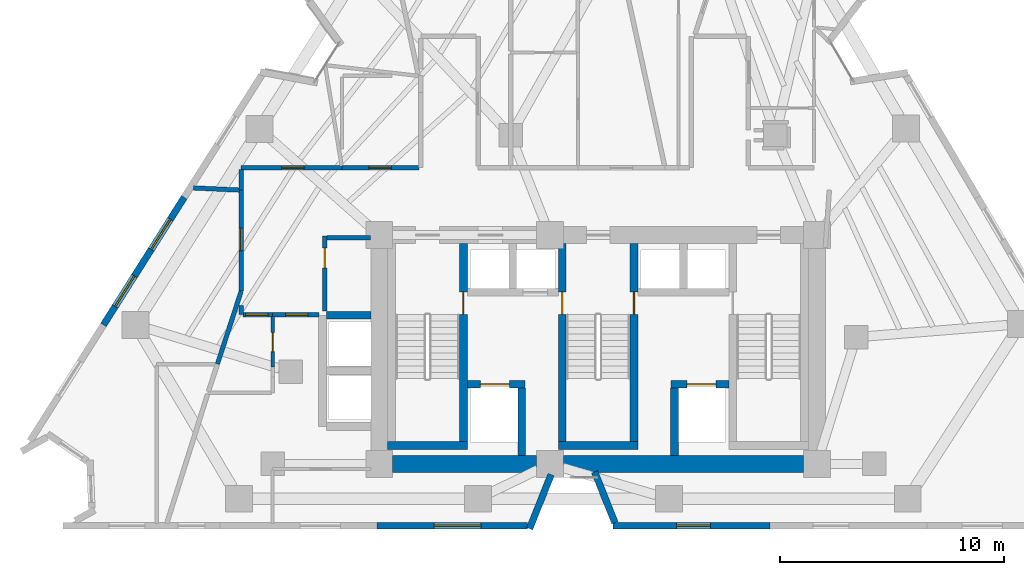
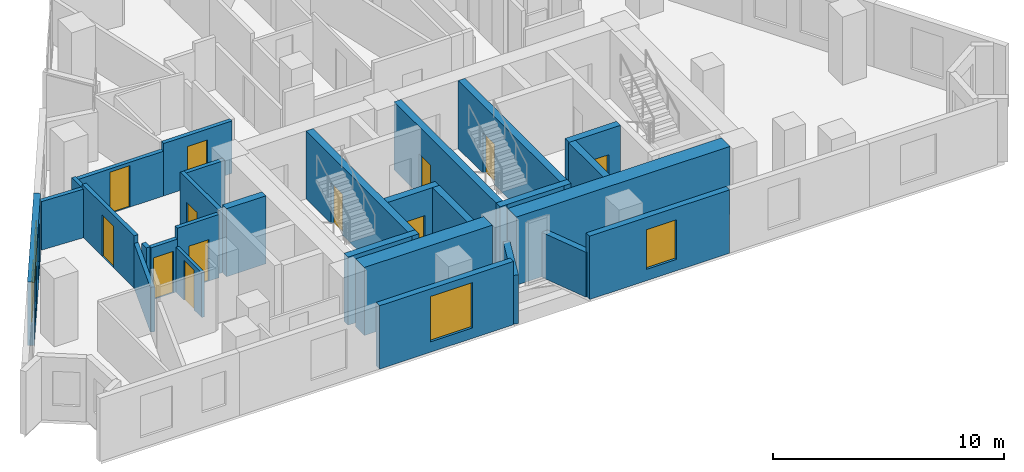
# One storey, part 6 of 12: 29 walls, 12 doors, 4 windows, 16 openings.
"""IFC4 building model written with IfcOpenShell, lengths in metres."""

from ifc_helpers import new_model, si_unit, direction, frame, frame_2d, origin, place, context, subcontext, project, spatial, rectangle, extrude, material, layer, layer_set, type_object, element, fill, save


model = new_model("IFC4")

# Units and contexts
model_context = context("Model", 3, precision=1e-05, world=origin(), true_north=direction((0.0, 1.0)))
body_context = subcontext(model_context, "Body", "Model", "MODEL_VIEW")
ifc_project = project(units=[si_unit("LENGTHUNIT", "METRE"), si_unit("AREAUNIT", "SQUARE_METRE"), si_unit("VOLUMEUNIT", "CUBIC_METRE"), si_unit("PLANEANGLEUNIT", "RADIAN"), si_unit("MASSUNIT", "GRAM", prefix="KILO")], contexts=[model_context])

# Site, building, storey
site_placement = place(None, origin())
site = spatial("IfcSite", under=ifc_project, at=site_placement, CompositionType="ELEMENT")
building_placement = place(site_placement, origin())
building = spatial("IfcBuilding", under=site, at=building_placement, Name="Almagre Mirador Tower", CompositionType="ELEMENT")
storey_placement = place(building_placement, frame((0.0, 0.0, 117.60009765625)))
storey = spatial("IfcBuildingStorey", under=building, at=storey_placement, Name="L29", CompositionType="ELEMENT", Elevation=117.60009765625)

# Wall, opening, window
ifc_material_1 = material(Name="Precast concrete C50/60", Category="concrete")
ifc_layer_1 = layer(ifc_material_1, 0.300048828125)
ifc_layer_set_1 = layer_set([ifc_layer_1], Name="Precast concrete C50/60")
wall_type_1 = type_object("IfcWallType", Name="WAL-EXT-300", PredefinedType="SOLIDWALL", material=ifc_layer_set_1)
wall_1_placement = place(storey_placement, frame((44.953369140625, 1.800048828125, 0.0), z_axis=(0.0, 0.0, 1.0), x_axis=(-1.0, 0.0, 0.0)))
wall_1 = element("IfcWall", 1, at=wall_1_placement, inside=storey, type_object=wall_type_1, Name="L29 expressed almagre precast frame wall 23", PredefinedType="SOLIDWALL", context=body_context, shape_type="SweptSolid", body=[
    extrude(rectangle(XDim=6.993408203125, YDim=0.300048828125, at=frame_2d((3.49658203125, 0.0))), origin(), (0.0, 0.0, 1.0), 3.349853515625),
])
opening_1_placement = place(wall_1_placement, frame((2.64990234375, 0.0, 0.60009765625)))
opening_1 = element("IfcOpeningElement", 2, at=opening_1_placement, cuts=wall_1, Name="Opening WN-03", PredefinedType="OPENING", context=body_context, shape_type="SweptSolid", body=[
    extrude(rectangle(XDim=1.5, YDim=2.10009765625, at=frame_2d((0.75, 1.050048828125))), frame((0.0, 0.159902, 0.0), z_axis=(0.0, -1.0, 0.0), x_axis=(1.0, 0.0, 0.0)), (0.0, 0.0, 1.0), 0.320049),
])
ifc_material_2 = material(Name="Dark solar-control laminated hurricane glass", Category="glass")
window_type_1 = type_object("IfcWindowType", Name="WIN-1500X2100", PartitioningType="DOUBLE_PANEL_VERTICAL", PredefinedType="WINDOW", material=ifc_material_2)
window_1_placement = place(opening_1_placement, origin())
window_1 = element("IfcWindow", 3, at=window_1_placement, inside=storey, type_object=window_type_1, Name="L29 recessed hurricane window L29-RST-B", OverallHeight=2.10009765625, OverallWidth=1.5, PartitioningType="SINGLE_PANEL", PredefinedType="WINDOW", context=body_context, shape_type="SweptSolid", body=[
    extrude(rectangle(XDim=1.5, YDim=2.10009765625, at=frame_2d((0.75, 1.050048828125))), frame((0.0, 0.030029296875, 0.0), z_axis=(0.0, -1.0, 0.0), x_axis=(1.0, 0.0, 0.0)), (0.0, 0.0, 1.0), 0.06005859375),
])
fill(opening_1, window_1)

# Walls
wall_2_placement = place(storey_placement, frame((38.048095703125, 1.93017578125, 0.0), z_axis=(0.0, 0.0, 1.0), x_axis=(-0.369476217581, 0.929240186734, 0.0)))
element("IfcWall", 4, at=wall_2_placement, inside=storey, type_object=wall_type_1, Name="L29 expressed almagre precast frame wall 24", PredefinedType="SOLIDWALL", context=body_context, shape_type="SweptSolid", body=[
    extrude(rectangle(XDim=2.441650390625, YDim=0.300048828125, at=frame_2d((1.220703125, 0.0))), origin(), (0.0, 0.0, 1.0), 2.376953125),
])
wall_3_placement = place(storey_placement, frame((35.206787109375, 4.080078125, 0.0), z_axis=(0.0, 0.0, 1.0), x_axis=(-0.369539870332, -0.929214875169, 0.0)))
element("IfcWall", 5, at=wall_3_placement, inside=storey, type_object=wall_type_1, Name="L29 expressed almagre precast frame wall 25", PredefinedType="SOLIDWALL", context=body_context, shape_type="SweptSolid", body=[
    extrude(rectangle(XDim=2.59375, YDim=0.300048828125, at=frame_2d((1.296875, 0.0))), origin(), (0.0, 0.0, 1.0), 2.574951171875),
])

# Wall, opening, window
wall_4_placement = place(storey_placement, frame((34.159912109375, 1.800048828125, 0.0), z_axis=(0.0, 0.0, 1.0), x_axis=(-1.0, 0.0, 0.0)))
wall_4 = element("IfcWall", 6, at=wall_4_placement, inside=storey, type_object=wall_type_1, Name="L29 expressed almagre precast frame wall 26", PredefinedType="SOLIDWALL", context=body_context, shape_type="SweptSolid", body=[
    extrude(rectangle(XDim=6.713134765625, YDim=0.300048828125, at=frame_2d((3.3564453125, 0.0))), origin(), (0.0, 0.0, 1.0), 3.349853515625),
])
opening_2_placement = place(wall_4_placement, frame((2.070068359375, 0.0, 0.550048828125)))
opening_2 = element("IfcOpeningElement", 7, at=opening_2_placement, cuts=wall_4, Name="Opening WN-05", PredefinedType="OPENING", context=body_context, shape_type="SweptSolid", body=[
    extrude(rectangle(XDim=2.10009765625, YDim=2.39990234375, at=frame_2d((1.050048828125, 1.199951171875))), frame((0.0, 0.159902, 0.0), z_axis=(0.0, -1.0, 0.0), x_axis=(1.0, 0.0, 0.0)), (0.0, 0.0, 1.0), 0.320049),
])
ifc_material_3 = material(Name="Dark solar-control laminated hurricane glass", Category="glass")
window_type_2 = type_object("IfcWindowType", Name="WIN-2100X2400", PartitioningType="DOUBLE_PANEL_VERTICAL", PredefinedType="WINDOW", material=ifc_material_3)
window_2_placement = place(opening_2_placement, origin())
window_2 = element("IfcWindow", 8, at=window_2_placement, inside=storey, type_object=window_type_2, Name="L29 recessed hurricane window L29-RST-B", OverallHeight=2.39990234375, OverallWidth=2.10009765625, PartitioningType="SINGLE_PANEL", PredefinedType="WINDOW", context=body_context, shape_type="SweptSolid", body=[
    extrude(rectangle(XDim=2.10009765625, YDim=2.39990234375, at=frame_2d((1.050048828125, 1.199951171875))), frame((0.0, 0.030029296875, 0.0), z_axis=(0.0, -1.0, 0.0), x_axis=(1.0, 0.0, 0.0)), (0.0, 0.0, 1.0), 0.06005859375),
])
fill(opening_2, window_2)

# Wall, openings, windows
wall_5_placement = place(storey_placement, frame((15.262451171875, 10.74560546875, 0.0), z_axis=(0.0, 0.0, 1.0), x_axis=(0.534880248718, 0.844927878302, 0.0)))
wall_5 = element("IfcWall", 9, at=wall_5_placement, inside=storey, type_object=wall_type_1, Name="L29 expressed almagre precast frame wall 34", PredefinedType="SOLIDWALL", context=body_context, shape_type="SweptSolid", body=[
    extrude(rectangle(XDim=6.72705078125, YDim=0.300048828125, at=frame_2d((3.363525390625, 0.0))), origin(), (0.0, 0.0, 1.0), 3.349853515625),
])
opening_3_placement = place(wall_5_placement, frame((3.97509765625, 0.0, 0.550048828125)))
opening_3 = element("IfcOpeningElement", 10, at=opening_3_placement, cuts=wall_5, Name="Opening WN-06", PredefinedType="OPENING", context=body_context, shape_type="SweptSolid", body=[
    extrude(rectangle(XDim=1.60009765625, YDim=2.199951171875, at=frame_2d((0.800048828125, 1.10009765625))), frame((0.0, 0.159902, 0.0), z_axis=(0.0, -1.0, 0.0), x_axis=(1.0, 0.0, 0.0)), (0.0, 0.0, 1.0), 0.320049),
])
opening_4_placement = place(wall_5_placement, frame((0.97509765625, 0.0, 0.550048828125)))
opening_4 = element("IfcOpeningElement", 11, at=opening_4_placement, cuts=wall_5, Name="Opening WN-06", PredefinedType="OPENING", context=body_context, shape_type="SweptSolid", body=[
    extrude(rectangle(XDim=1.60009765625, YDim=2.199951171875, at=frame_2d((0.800048828125, 1.10009765625))), frame((0.0, 0.159902, 0.0), z_axis=(0.0, -1.0, 0.0), x_axis=(1.0, 0.0, 0.0)), (0.0, 0.0, 1.0), 0.320049),
])
ifc_material_4 = material(Name="Dark solar-control laminated hurricane glass", Category="glass")
window_type_3 = type_object("IfcWindowType", Name="WIN-1600X2200", PartitioningType="DOUBLE_PANEL_VERTICAL", PredefinedType="WINDOW", material=ifc_material_4)
window_3_placement = place(opening_3_placement, origin())
window_3 = element("IfcWindow", 12, at=window_3_placement, inside=storey, type_object=window_type_3, Name="L29 recessed hurricane window L29-UD-ST", OverallHeight=2.199951171875, OverallWidth=1.60009765625, PartitioningType="SINGLE_PANEL", PredefinedType="WINDOW", context=body_context, shape_type="SweptSolid", body=[
    extrude(rectangle(XDim=1.60009765625, YDim=2.199951171875, at=frame_2d((0.800048828125, 1.10009765625))), frame((0.0, 0.030029296875, 0.0), z_axis=(0.0, -1.0, 0.0), x_axis=(1.0, 0.0, 0.0)), (0.0, 0.0, 1.0), 0.06005859375),
])
fill(opening_3, window_3)
window_4_placement = place(opening_4_placement, origin())
window_4 = element("IfcWindow", 13, at=window_4_placement, inside=storey, type_object=window_type_3, Name="L29 recessed hurricane window L29-UD-KT", OverallHeight=2.199951171875, OverallWidth=1.60009765625, PartitioningType="SINGLE_PANEL", PredefinedType="WINDOW", context=body_context, shape_type="SweptSolid", body=[
    extrude(rectangle(XDim=1.60009765625, YDim=2.199951171875, at=frame_2d((0.800048828125, 1.10009765625))), frame((0.0, 0.030029296875, 0.0), z_axis=(0.0, -1.0, 0.0), x_axis=(1.0, 0.0, 0.0)), (0.0, 0.0, 1.0), 0.06005859375),
])
fill(opening_4, window_4)

# Wall, opening, door
ifc_material_5 = material(Name="Gypsum acoustic stud partition", Category="other")
ifc_layer_2 = layer(ifc_material_5, 0.14990234375)
ifc_layer_set_2 = layer_set([ifc_layer_2], Name="Gypsum acoustic stud partition")
wall_type_2 = type_object("IfcWallType", Name="WAL-PRT-150-STD", PredefinedType="PARTITIONING", material=ifc_layer_set_2)
wall_6_placement = place(storey_placement, frame((22.800048828125, 11.114990234375, 0.0), z_axis=(0.0, 0.0, 1.0), x_axis=(0.0, -1.0, 0.0)))
wall_6 = element("IfcWall", 14, at=wall_6_placement, inside=storey, type_object=wall_type_2, Name="L29 interior partition 026", PredefinedType="PARTITIONING", context=body_context, shape_type="SweptSolid", body=[
    extrude(rectangle(XDim=2.244873046875, YDim=0.14990234375, at=frame_2d((1.12255859375, 0.0))), origin(), (0.0, 0.0, 1.0), 2.371826171875),
])
opening_5_placement = place(wall_6_placement, frame((0.70947265625, 0.0, 0.0)))
opening_5 = element("IfcOpeningElement", 15, at=opening_5_placement, cuts=wall_6, Name="Opening UD-04", PredefinedType="OPENING", context=body_context, shape_type="SweptSolid", body=[
    extrude(rectangle(XDim=0.85009765625, YDim=2.10009765625, at=frame_2d((0.425048828125, 1.050048828125))), frame((0.0, 0.084951, 0.0), z_axis=(0.0, -1.0, 0.0), x_axis=(1.0, 0.0, 0.0)), (0.0, 0.0, 1.0), 0.169902),
])
ifc_material_6 = material(Name="Moisture-resistant oak timber", Category="wood")
door_type_1 = type_object("IfcDoorType", Name="DOR-UNR-850X2100", OperationType="NOTDEFINED", PredefinedType="DOOR", material=ifc_material_6)
door_1_placement = place(opening_5_placement, origin())
door_1 = element("IfcDoor", 16, at=door_1_placement, inside=storey, type_object=door_type_1, Name="DR-0951 L29 interior door L29-UA-LV to L29-UA-HB", OperationType="SINGLE_SWING_RIGHT", OverallHeight=2.10009765625, OverallWidth=0.85009765625, PredefinedType="DOOR", context=body_context, shape_type="SweptSolid", body=[
    extrude(rectangle(XDim=0.85009765625, YDim=2.10009765625, at=frame_2d((0.425048828125, 1.050048828125))), frame((0.0, 0.02490234375, 0.0), z_axis=(0.0, -1.0, 0.0), x_axis=(1.0, 0.0, 0.0)), (0.0, 0.0, 1.0), 0.050048828125),
])
fill(opening_5, door_1)

ifc_material_7 = material(Name="Gypsum acoustic stud partition", Category="other")
ifc_layer_3 = layer(ifc_material_7, 0.199951171875)
ifc_layer_set_3 = layer_set([ifc_layer_3], Name="Gypsum acoustic stud partition")
wall_type_3 = type_object("IfcWallType", Name="WAL-PRT-200-EI60", PredefinedType="PARTITIONING", material=ifc_layer_set_3)
wall_7_placement = place(storey_placement, frame((25.1201171875, 11.3701171875, 0.0), z_axis=(0.0, 0.0, 1.0), x_axis=(0.0, 1.0, 0.0)))
wall_7 = element("IfcWall", 17, at=wall_7_placement, inside=storey, type_object=wall_type_3, Name="L29 core ancillary west wall", PredefinedType="PARTITIONING", context=body_context, shape_type="SweptSolid", body=[
    extrude(rectangle(XDim=3.33984375, YDim=0.199951171875, at=frame_2d((1.669921875, 0.0))), origin(), (0.0, 0.0, 1.0), 3.349853515625),
])
opening_6_placement = place(wall_7_placement, frame((1.89990234375, 0.0, 0.0)))
opening_6 = element("IfcOpeningElement", 18, at=opening_6_placement, cuts=wall_7, Name="Opening ID-03", PredefinedType="OPENING", context=body_context, shape_type="SweptSolid", body=[
    extrude(rectangle(XDim=0.89990234375, YDim=2.10009765625, at=frame_2d((0.449951171875, 1.050048828125))), frame((0.0, 0.110098, 0.0), z_axis=(0.0, -1.0, 0.0), x_axis=(1.0, 0.0, 0.0)), (0.0, 0.0, 1.0), 0.219951),
])
ifc_material_8 = material(Name="Fire-rated hollow steel", Category="steel")
door_type_2 = type_object("IfcDoorType", Name="DOR-FD60-900X2100", OperationType="NOTDEFINED", PredefinedType="DOOR", material=ifc_material_8)
door_2_placement = place(opening_6_placement, origin())
door_2 = element("IfcDoor", 19, at=door_2_placement, inside=storey, type_object=door_type_2, Name="DR-0944 L29 core ancillary corridor door", OperationType="SINGLE_SWING_LEFT", OverallHeight=2.10009765625, OverallWidth=0.89990234375, PredefinedType="DOOR", context=body_context, shape_type="SweptSolid", body=[
    extrude(rectangle(XDim=0.89990234375, YDim=2.10009765625, at=frame_2d((0.449951171875, 1.050048828125))), frame((0.0, 0.02490234375, 0.0), z_axis=(0.0, -1.0, 0.0), x_axis=(1.0, 0.0, 0.0)), (0.0, 0.0, 1.0), 0.050048828125),
])
fill(opening_6, door_2)

# Wall
wall_8_placement = place(storey_placement, frame((25.22509765625, 14.6201171875, 0.0), z_axis=(0.0, 0.0, 1.0), x_axis=(1.0, 0.0, 0.0)))
element("IfcWall", 20, at=wall_8_placement, inside=storey, type_object=wall_type_3, Name="L29 core ancillary north wall", PredefinedType="PARTITIONING", context=body_context, shape_type="SweptSolid", body=[
    extrude(rectangle(XDim=1.934814453125, YDim=0.199951171875, at=frame_2d((0.96728515625, 0.0))), origin(), (0.0, 0.0, 1.0), 3.349853515625),
])

# Wall, opening, door
wall_9_placement = place(storey_placement, frame((22.800048828125, 11.199951171875, 0.0), z_axis=(0.0, 0.0, 1.0), x_axis=(1.0, 0.0, 0.0)))
wall_9 = element("IfcWall", 21, at=wall_9_placement, inside=storey, type_object=wall_type_3, Name="L29 interior partition 001", PredefinedType="PARTITIONING", context=body_context, shape_type="SweptSolid", body=[
    extrude(rectangle(XDim=2.069091796875, YDim=0.199951171875, at=frame_2d((1.03466796875, 0.0))), origin(), (0.0, 0.0, 1.0), 3.349853515625),
])
opening_7_placement = place(wall_9_placement, frame((0.574951171875, 0.0, 0.0)))
opening_7 = element("IfcOpeningElement", 22, at=opening_7_placement, cuts=wall_9, Name="Opening ID-01", PredefinedType="OPENING", context=body_context, shape_type="SweptSolid", body=[
    extrude(rectangle(XDim=1.0, YDim=2.199951171875, at=frame_2d((0.5, 1.10009765625))), frame((0.0, 0.110098, 0.0), z_axis=(0.0, -1.0, 0.0), x_axis=(1.0, 0.0, 0.0)), (0.0, 0.0, 1.0), 0.219951),
])
ifc_material_9 = material(Name="Fire-rated walnut timber", Category="wood")
door_type_3 = type_object("IfcDoorType", Name="DOR-FD60-1000X2200", OperationType="NOTDEFINED", PredefinedType="DOOR", material=ifc_material_9)
door_3_placement = place(opening_7_placement, origin())
door_3 = element("IfcDoor", 23, at=door_3_placement, inside=storey, type_object=door_type_3, Name="DR-0949 L29 interior door L29-RCOR to L29-UA-LV", OperationType="SINGLE_SWING_RIGHT", OverallHeight=2.199951171875, OverallWidth=1.0, PredefinedType="DOOR", context=body_context, shape_type="SweptSolid", body=[
    extrude(rectangle(XDim=1.0, YDim=2.199951171875, at=frame_2d((0.5, 1.10009765625))), frame((0.0, 0.02490234375, 0.0), z_axis=(0.0, -1.0, 0.0), x_axis=(1.0, 0.0, 0.0)), (0.0, 0.0, 1.0), 0.050048828125),
])
fill(opening_7, door_3)

# Wall
wall_10_placement = place(storey_placement, frame((21.39990234375, 11.60498046875, 0.0), z_axis=(0.0, 0.0, 1.0), x_axis=(0.0, -1.0, 0.0)))
element("IfcWall", 24, at=wall_10_placement, inside=storey, type_object=wall_type_3, Name="L29 interior partition 002", PredefinedType="PARTITIONING", context=body_context, shape_type="SweptSolid", body=[
    extrude(rectangle(XDim=0.405029296875, YDim=0.199951171875, at=frame_2d((0.20263671875, 0.0))), origin(), (0.0, 0.0, 1.0), 2.77099609375),
])

# Wall, opening, door
wall_11_placement = place(storey_placement, frame((21.485107421875, 11.199951171875, 0.0), z_axis=(0.0, 0.0, 1.0), x_axis=(1.0, 0.0, 0.0)))
wall_11 = element("IfcWall", 25, at=wall_11_placement, inside=storey, type_object=wall_type_3, Name="L29 interior partition 003", PredefinedType="PARTITIONING", context=body_context, shape_type="SweptSolid", body=[
    extrude(rectangle(XDim=1.31494140625, YDim=0.199951171875, at=frame_2d((0.657470703125, 0.0))), origin(), (0.0, 0.0, 1.0), 2.77099609375),
])
opening_8_placement = place(wall_11_placement, frame((0.114990234375, 0.0, 0.0)))
opening_8 = element("IfcOpeningElement", 26, at=opening_8_placement, cuts=wall_11, Name="Opening ID-01", PredefinedType="OPENING", context=body_context, shape_type="SweptSolid", body=[
    extrude(rectangle(XDim=1.0, YDim=2.199951171875, at=frame_2d((0.5, 1.10009765625))), frame((0.0, 0.110098, 0.0), z_axis=(0.0, -1.0, 0.0), x_axis=(1.0, 0.0, 0.0)), (0.0, 0.0, 1.0), 0.219951),
])
door_4_placement = place(opening_8_placement, origin())
door_4 = element("IfcDoor", 27, at=door_4_placement, inside=storey, type_object=door_type_3, Name="DR-0972 L29 interior door L29-RCOR to L29-UA-HB", OperationType="SINGLE_SWING_LEFT", OverallHeight=2.199951171875, OverallWidth=1.0, PredefinedType="DOOR", context=body_context, shape_type="SweptSolid", body=[
    extrude(rectangle(XDim=1.0, YDim=2.199951171875, at=frame_2d((0.5, 1.10009765625))), frame((0.0, 0.02490234375, 0.0), z_axis=(0.0, -1.0, 0.0), x_axis=(1.0, 0.0, 0.0)), (0.0, 0.0, 1.0), 0.050048828125),
])
fill(opening_8, door_4)

wall_12_placement = place(storey_placement, frame((21.39990234375, 16.75, 0.0), z_axis=(0.0, 0.0, 1.0), x_axis=(0.0, -1.0, 0.0)))
wall_12 = element("IfcWall", 28, at=wall_12_placement, inside=storey, type_object=wall_type_3, Name="L29 interior partition 005", PredefinedType="PARTITIONING", context=body_context, shape_type="SweptSolid", body=[
    extrude(rectangle(XDim=4.5, YDim=0.199951171875, at=frame_2d((2.25, 0.0))), origin(), (0.0, 0.0, 1.0), 2.77099609375),
])
opening_9_placement = place(wall_12_placement, frame((1.6904296875, 0.0, 0.0)))
opening_9 = element("IfcOpeningElement", 29, at=opening_9_placement, cuts=wall_12, Name="Opening ID-01", PredefinedType="OPENING", context=body_context, shape_type="SweptSolid", body=[
    extrude(rectangle(XDim=1.0, YDim=2.199951171875, at=frame_2d((0.5, 1.10009765625))), frame((0.0, 0.110098, 0.0), z_axis=(0.0, -1.0, 0.0), x_axis=(1.0, 0.0, 0.0)), (0.0, 0.0, 1.0), 0.219951),
])
door_5_placement = place(opening_9_placement, origin())
door_5 = element("IfcDoor", 30, at=door_5_placement, inside=storey, type_object=door_type_3, Name="DR-0952 L29 interior door L29-RCOR to L29-UD-ST", OperationType="SINGLE_SWING_LEFT", OverallHeight=2.199951171875, OverallWidth=1.0, PredefinedType="DOOR", context=body_context, shape_type="SweptSolid", body=[
    extrude(rectangle(XDim=1.0, YDim=2.199951171875, at=frame_2d((0.5, 1.10009765625))), frame((0.0, 0.02490234375, 0.0), z_axis=(0.0, -1.0, 0.0), x_axis=(1.0, 0.0, 0.0)), (0.0, 0.0, 1.0), 0.050048828125),
])
fill(opening_9, door_5)

wall_13_placement = place(storey_placement, frame((25.889892578125, 17.75, 0.0), z_axis=(0.0, 0.0, 1.0), x_axis=(-1.0, 0.0, 0.0)))
wall_13 = element("IfcWall", 31, at=wall_13_placement, inside=storey, type_object=wall_type_3, Name="L29 interior partition 006", PredefinedType="PARTITIONING", context=body_context, shape_type="SweptSolid", body=[
    extrude(rectangle(XDim=4.489990234375, YDim=0.199951171875, at=frame_2d((2.2451171875, 0.0))), origin(), (0.0, 0.0, 1.0), 2.371826171875),
])
opening_10_placement = place(wall_13_placement, frame((1.685546875, 0.0, 0.0)))
opening_10 = element("IfcOpeningElement", 32, at=opening_10_placement, cuts=wall_13, Name="Opening ID-01", PredefinedType="OPENING", context=body_context, shape_type="SweptSolid", body=[
    extrude(rectangle(XDim=1.0, YDim=2.199951171875, at=frame_2d((0.5, 1.10009765625))), frame((0.0, 0.110098, 0.0), z_axis=(0.0, -1.0, 0.0), x_axis=(1.0, 0.0, 0.0)), (0.0, 0.0, 1.0), 0.219951),
])
door_6_placement = place(opening_10_placement, origin())
door_6 = element("IfcDoor", 33, at=door_6_placement, inside=storey, type_object=door_type_3, Name="DR-0953 L29 interior door L29-RCOR to L29-UF-ST", OperationType="SINGLE_SWING_RIGHT", OverallHeight=2.199951171875, OverallWidth=1.0, PredefinedType="DOOR", context=body_context, shape_type="SweptSolid", body=[
    extrude(rectangle(XDim=1.0, YDim=2.199951171875, at=frame_2d((0.5, 1.10009765625))), frame((0.0, 0.02490234375, 0.0), z_axis=(0.0, -1.0, 0.0), x_axis=(1.0, 0.0, 0.0)), (0.0, 0.0, 1.0), 0.050048828125),
])
fill(opening_10, door_6)

# Wall
wall_14_placement = place(storey_placement, frame((21.39990234375, 17.6650390625, 0.0), z_axis=(0.0, 0.0, 1.0), x_axis=(0.0, -1.0, 0.0)))
element("IfcWall", 34, at=wall_14_placement, inside=storey, type_object=wall_type_3, Name="L29 interior partition 007", PredefinedType="PARTITIONING", context=body_context, shape_type="SweptSolid", body=[
    extrude(rectangle(XDim=0.9150390625, YDim=0.199951171875, at=frame_2d((0.45751953125, 0.0))), origin(), (0.0, 0.0, 1.0), 2.56982421875),
])

# Wall, opening, door
wall_15_placement = place(storey_placement, frame((29.31494140625, 17.75, 0.0), z_axis=(0.0, 0.0, 1.0), x_axis=(-1.0, 0.0, 0.0)))
wall_15 = element("IfcWall", 35, at=wall_15_placement, inside=storey, type_object=wall_type_3, Name="L29 interior partition 009", PredefinedType="PARTITIONING", context=body_context, shape_type="SweptSolid", body=[
    extrude(rectangle(XDim=3.425048828125, YDim=0.199951171875, at=frame_2d((1.71240234375, 0.0))), origin(), (0.0, 0.0, 1.0), 2.77099609375),
])
opening_11_placement = place(wall_15_placement, frame((1.228759765625, 0.0, 0.0)))
opening_11 = element("IfcOpeningElement", 36, at=opening_11_placement, cuts=wall_15, Name="Opening ID-01", PredefinedType="OPENING", context=body_context, shape_type="SweptSolid", body=[
    extrude(rectangle(XDim=1.0, YDim=2.199951171875, at=frame_2d((0.5, 1.10009765625))), frame((0.0, 0.110098, 0.0), z_axis=(0.0, -1.0, 0.0), x_axis=(1.0, 0.0, 0.0)), (0.0, 0.0, 1.0), 0.219951),
])
door_7_placement = place(opening_11_placement, origin())
door_7 = element("IfcDoor", 37, at=door_7_placement, inside=storey, type_object=door_type_3, Name="DR-0973 L29 interior door L29-RCOR to L29-UF-BT", OperationType="SINGLE_SWING_RIGHT", OverallHeight=2.199951171875, OverallWidth=1.0, PredefinedType="DOOR", context=body_context, shape_type="SweptSolid", body=[
    extrude(rectangle(XDim=1.0, YDim=2.199951171875, at=frame_2d((0.5, 1.10009765625))), frame((0.0, 0.02490234375, 0.0), z_axis=(0.0, -1.0, 0.0), x_axis=(1.0, 0.0, 0.0)), (0.0, 0.0, 1.0), 0.050048828125),
])
fill(opening_11, door_7)

# Walls
wall_16_placement = place(storey_placement, frame((21.39990234375, 12.25, 0.0), z_axis=(0.0, 0.0, 1.0), x_axis=(-0.310029019977, -0.950727093741, 0.0)))
element("IfcWall", 38, at=wall_16_placement, inside=storey, type_object=wall_type_3, Name="L29 interior partition 030", PredefinedType="PARTITIONING", context=body_context, shape_type="SweptSolid", body=[
    extrude(rectangle(XDim=3.41845703125, YDim=0.199951171875, at=frame_2d((1.709228515625, 0.0))), origin(), (0.0, 0.0, 1.0), 2.371826171875),
])
wall_17_placement = place(storey_placement, frame((21.315185546875, 16.7529296875, 0.0), z_axis=(0.0, 0.0, 1.0), x_axis=(-0.998928926466, 0.046270939795, 0.0)))
element("IfcWall", 39, at=wall_17_placement, inside=storey, type_object=wall_type_3, Name="L29 interior partition 050", PredefinedType="PARTITIONING", context=body_context, shape_type="SweptSolid", body=[
    extrude(rectangle(XDim=2.052490234375, YDim=0.199951171875, at=frame_2d((1.0263671875, 0.0))), origin(), (0.0, 0.0, 1.0), 2.56982421875),
])

# Wall, opening, door
ifc_material_10 = material(Name="Concrete C60/75", Category="concrete")
ifc_layer_4 = layer(ifc_material_10, 0.35009765625)
ifc_layer_set_4 = layer_set([ifc_layer_4], Name="Concrete C60/75")
wall_type_4 = type_object("IfcWallType", Name="WAL-SHF-350", PredefinedType="SOLIDWALL", material=ifc_layer_set_4)
wall_18_placement = place(storey_placement, frame((31.300048828125, 5.199951171875, 0.0), z_axis=(0.0, 0.0, 1.0), x_axis=(0.0, 1.0, 0.0)))
wall_18 = element("IfcWall", 40, at=wall_18_placement, inside=storey, type_object=wall_type_4, Name="L29 shaft wall ST1-E", PredefinedType="SOLIDWALL", context=body_context, shape_type="SweptSolid", body=[
    extrude(rectangle(XDim=9.175048828125, YDim=0.35009765625, at=frame_2d((4.58740234375, 0.0))), origin(), (0.0, 0.0, 1.0), 3.599853515625),
])
opening_12_placement = place(wall_18_placement, frame((6.02001953125, 0.0, 0.0)))
opening_12 = element("IfcOpeningElement", 41, at=opening_12_placement, cuts=wall_18, Name="Opening FD-01", PredefinedType="OPENING", context=body_context, shape_type="SweptSolid", body=[
    extrude(rectangle(XDim=1.0, YDim=2.14990234375, at=frame_2d((0.5, 1.074951171875))), frame((0.0, 0.185049, 0.0), z_axis=(0.0, -1.0, 0.0), x_axis=(1.0, 0.0, 0.0)), (0.0, 0.0, 1.0), 0.370098),
])
ifc_material_11 = material(Name="Fire-rated hollow steel", Category="steel")
door_type_4 = type_object("IfcDoorType", Name="DOR-FFL-1000X2150", OperationType="NOTDEFINED", PredefinedType="DOOR", material=ifc_material_11)
door_8_placement = place(opening_12_placement, origin())
door_8 = element("IfcDoor", 42, at=door_8_placement, inside=storey, type_object=door_type_4, Name="DR-0945 L29 FFL1-ST1 smokeproof door", OperationType="SINGLE_SWING_LEFT", OverallHeight=2.14990234375, OverallWidth=1.0, PredefinedType="DOOR", context=body_context, shape_type="SweptSolid", body=[
    extrude(rectangle(XDim=1.0, YDim=2.14990234375, at=frame_2d((0.5, 1.074951171875))), frame((0.0, 0.02490234375, 0.0), z_axis=(0.0, -1.0, 0.0), x_axis=(1.0, 0.0, 0.0)), (0.0, 0.0, 1.0), 0.050048828125),
])
fill(opening_12, door_8)

# Wall
wall_19_placement = place(storey_placement, frame((27.925048828125, 5.375, 0.0), z_axis=(0.0, 0.0, 1.0), x_axis=(1.0, 0.0, 0.0)))
element("IfcWall", 43, at=wall_19_placement, inside=storey, type_object=wall_type_4, Name="L29 shaft wall ST1-S", PredefinedType="SOLIDWALL", context=body_context, shape_type="SweptSolid", body=[
    extrude(rectangle(XDim=3.550048828125, YDim=0.35009765625, at=frame_2d((1.77490234375, 0.0))), origin(), (0.0, 0.0, 1.0), 3.599853515625),
])

# Wall, opening, door
wall_20_placement = place(storey_placement, frame((35.699951171875, 5.199951171875, 0.0), z_axis=(0.0, 0.0, 1.0), x_axis=(0.0, 1.0, 0.0)))
wall_20 = element("IfcWall", 44, at=wall_20_placement, inside=storey, type_object=wall_type_4, Name="L29 shaft wall ST2-W", PredefinedType="SOLIDWALL", context=body_context, shape_type="SweptSolid", body=[
    extrude(rectangle(XDim=9.175048828125, YDim=0.35009765625, at=frame_2d((4.58740234375, 0.0))), origin(), (0.0, 0.0, 1.0), 3.599853515625),
])
opening_13_placement = place(wall_20_placement, frame((6.02001953125, 0.0, 0.0)))
opening_13 = element("IfcOpeningElement", 45, at=opening_13_placement, cuts=wall_20, Name="Opening FD-01", PredefinedType="OPENING", context=body_context, shape_type="SweptSolid", body=[
    extrude(rectangle(XDim=1.0, YDim=2.14990234375, at=frame_2d((0.5, 1.074951171875))), frame((0.0, 0.185049, 0.0), z_axis=(0.0, -1.0, 0.0), x_axis=(1.0, 0.0, 0.0)), (0.0, 0.0, 1.0), 0.370098),
])
door_9_placement = place(opening_13_placement, origin())
door_9 = element("IfcDoor", 46, at=door_9_placement, inside=storey, type_object=door_type_4, Name="DR-0946 L29 FFL1-ST2 smokeproof door", OperationType="SINGLE_SWING_RIGHT", OverallHeight=2.14990234375, OverallWidth=1.0, PredefinedType="DOOR", context=body_context, shape_type="SweptSolid", body=[
    extrude(rectangle(XDim=1.0, YDim=2.14990234375, at=frame_2d((0.5, 1.074951171875))), frame((0.0, 0.02490234375, 0.0), z_axis=(0.0, -1.0, 0.0), x_axis=(1.0, 0.0, 0.0)), (0.0, 0.0, 1.0), 0.050048828125),
])
fill(opening_13, door_9)

wall_21_placement = place(storey_placement, frame((38.89990234375, 5.199951171875, 0.0), z_axis=(0.0, 0.0, 1.0), x_axis=(0.0, 1.0, 0.0)))
wall_21 = element("IfcWall", 47, at=wall_21_placement, inside=storey, type_object=wall_type_4, Name="L29 shaft wall ST2-E", PredefinedType="SOLIDWALL", context=body_context, shape_type="SweptSolid", body=[
    extrude(rectangle(XDim=9.175048828125, YDim=0.35009765625, at=frame_2d((4.58740234375, 0.0))), origin(), (0.0, 0.0, 1.0), 3.599853515625),
])
opening_14_placement = place(wall_21_placement, frame((6.02001953125, 0.0, 0.0)))
opening_14 = element("IfcOpeningElement", 48, at=opening_14_placement, cuts=wall_21, Name="Opening FD-01", PredefinedType="OPENING", context=body_context, shape_type="SweptSolid", body=[
    extrude(rectangle(XDim=1.0, YDim=2.14990234375, at=frame_2d((0.5, 1.074951171875))), frame((0.0, 0.185049, 0.0), z_axis=(0.0, -1.0, 0.0), x_axis=(1.0, 0.0, 0.0)), (0.0, 0.0, 1.0), 0.370098),
])
door_10_placement = place(opening_14_placement, origin())
door_10 = element("IfcDoor", 49, at=door_10_placement, inside=storey, type_object=door_type_4, Name="DR-0947 L29 FFL2-ST2 smokeproof door", OperationType="SINGLE_SWING_LEFT", OverallHeight=2.14990234375, OverallWidth=1.0, PredefinedType="DOOR", context=body_context, shape_type="SweptSolid", body=[
    extrude(rectangle(XDim=1.0, YDim=2.14990234375, at=frame_2d((0.5, 1.074951171875))), frame((0.0, 0.02490234375, 0.0), z_axis=(0.0, -1.0, 0.0), x_axis=(1.0, 0.0, 0.0)), (0.0, 0.0, 1.0), 0.050048828125),
])
fill(opening_14, door_10)

# Wall
wall_22_placement = place(storey_placement, frame((35.52490234375, 5.375, 0.0), z_axis=(0.0, 0.0, 1.0), x_axis=(1.0, 0.0, 0.0)))
element("IfcWall", 50, at=wall_22_placement, inside=storey, type_object=wall_type_4, Name="L29 shaft wall ST2-S", PredefinedType="SOLIDWALL", context=body_context, shape_type="SweptSolid", body=[
    extrude(rectangle(XDim=3.550048828125, YDim=0.35009765625, at=frame_2d((1.77490234375, 0.0))), origin(), (0.0, 0.0, 1.0), 3.599853515625),
])

# Wall, opening, door
wall_23_placement = place(storey_placement, frame((31.47509765625, 8.10009765625, 0.0), z_axis=(0.0, 0.0, 1.0), x_axis=(1.0, 0.0, 0.0)))
wall_23 = element("IfcWall", 51, at=wall_23_placement, inside=storey, type_object=wall_type_4, Name="L29 shaft wall FSAE1-N", PredefinedType="SOLIDWALL", context=body_context, shape_type="SweptSolid", body=[
    extrude(rectangle(XDim=2.574951171875, YDim=0.35009765625, at=frame_2d((1.28759765625, 0.0))), origin(), (0.0, 0.0, 1.0), 3.599853515625),
])
opening_15_placement = place(wall_23_placement, frame((0.574951171875, 0.0, 0.0)))
opening_15 = element("IfcOpeningElement", 52, at=opening_15_placement, cuts=wall_23, Name="Opening LD-03", PredefinedType="OPENING", context=body_context, shape_type="SweptSolid", body=[
    extrude(rectangle(XDim=1.300048828125, YDim=2.25, at=frame_2d((0.64990234375, 1.125))), frame((0.0, 0.185049, 0.0), z_axis=(0.0, -1.0, 0.0), x_axis=(1.0, 0.0, 0.0)), (0.0, 0.0, 1.0), 0.370098),
])
ifc_material_12 = material(Name="Hollow stainless steel", Category="steel")
door_type_5 = type_object("IfcDoorType", Name="DOR-LD-1300X2250", OperationType="DOUBLE_DOOR_SLIDING", PredefinedType="DOOR", material=ifc_material_12)
door_11_placement = place(opening_15_placement, origin())
door_11 = element("IfcDoor", 53, at=door_11_placement, inside=storey, type_object=door_type_5, Name="DR-0974 L29 FSAE-1 lift landing door", OperationType="DOUBLE_DOOR_SLIDING", OverallHeight=2.25, OverallWidth=1.300048828125, PredefinedType="DOOR", context=body_context, shape_type="SweptSolid", body=[
    extrude(rectangle(XDim=1.300048828125, YDim=2.25, at=frame_2d((0.64990234375, 1.125))), frame((0.0, 0.02490234375, 0.0), z_axis=(0.0, -1.0, 0.0), x_axis=(1.0, 0.0, 0.0)), (0.0, 0.0, 1.0), 0.050048828125),
])
fill(opening_15, door_11)

wall_24_placement = place(storey_placement, frame((40.550048828125, 8.10009765625, 0.0), z_axis=(0.0, 0.0, 1.0), x_axis=(1.0, 0.0, 0.0)))
wall_24 = element("IfcWall", 54, at=wall_24_placement, inside=storey, type_object=wall_type_4, Name="L29 shaft wall FSAE2-N", PredefinedType="SOLIDWALL", context=body_context, shape_type="SweptSolid", body=[
    extrude(rectangle(XDim=2.574951171875, YDim=0.35009765625, at=frame_2d((1.28759765625, 0.0))), origin(), (0.0, 0.0, 1.0), 3.599853515625),
])
opening_16_placement = place(wall_24_placement, frame((0.699951171875, 0.0, 0.0)))
opening_16 = element("IfcOpeningElement", 55, at=opening_16_placement, cuts=wall_24, Name="Opening LD-03", PredefinedType="OPENING", context=body_context, shape_type="SweptSolid", body=[
    extrude(rectangle(XDim=1.300048828125, YDim=2.25, at=frame_2d((0.64990234375, 1.125))), frame((0.0, 0.185049, 0.0), z_axis=(0.0, -1.0, 0.0), x_axis=(1.0, 0.0, 0.0)), (0.0, 0.0, 1.0), 0.370098),
])
door_12_placement = place(opening_16_placement, origin())
door_12 = element("IfcDoor", 56, at=door_12_placement, inside=storey, type_object=door_type_5, Name="DR-0975 L29 FSAE-2 lift landing door", OperationType="DOUBLE_DOOR_SLIDING", OverallHeight=2.25, OverallWidth=1.300048828125, PredefinedType="DOOR", context=body_context, shape_type="SweptSolid", body=[
    extrude(rectangle(XDim=1.300048828125, YDim=2.25, at=frame_2d((0.64990234375, 1.125))), frame((0.0, 0.02490234375, 0.0), z_axis=(0.0, -1.0, 0.0), x_axis=(1.0, 0.0, 0.0)), (0.0, 0.0, 1.0), 0.050048828125),
])
fill(opening_16, door_12)

# Walls
for number, where, z_axis, x_axis, name in (
    (57, (33.89990234375, 4.925048828125, 0.0), (0.0, 0.0, 1.0), (0.0, 1.0, 0.0), "L29 shaft wall FSAE1-E"),
    (58, (40.699951171875, 4.925048828125, 0.0), (0.0, 0.0, 1.0), (0.0, 1.0, 0.0), "L29 shaft wall FSAE2-W"),
):
    element("IfcWall", number, at=place(storey_placement, frame(where, z_axis=z_axis, x_axis=x_axis)), inside=storey, type_object=wall_type_4, Name=name, PredefinedType="SOLIDWALL", context=body_context, shape_type="SweptSolid", body=[
        extrude(rectangle(XDim=3.0, YDim=0.35009765625, at=frame_2d((1.5, 0.0))), origin(), (0.0, 0.0, 1.0), 3.599853515625),
    ])
wall_25_placement = place(storey_placement, frame((25.199951171875, 11.175048828125, 0.0), z_axis=(0.0, 0.0, 1.0), x_axis=(1.0, 0.0, 0.0)))
element("IfcWall", 59, at=wall_25_placement, inside=storey, type_object=wall_type_4, Name="L29 shaft wall OL-N", PredefinedType="SOLIDWALL", context=body_context, shape_type="SweptSolid", body=[
    extrude(rectangle(XDim=1.97509765625, YDim=0.35009765625, at=frame_2d((0.987548828125, 0.0))), origin(), (0.0, 0.0, 1.0), 3.599853515625),
])
ifc_material_13 = material(Name="Concrete C60/75", Category="concrete")
ifc_layer_5 = layer(ifc_material_13, 0.75)
ifc_layer_set_5 = layer_set([ifc_layer_5], Name="Concrete C60/75")
wall_type_5 = type_object("IfcWallType", Name="WAL-SHR-750", PredefinedType="SHEAR", material=ifc_layer_set_5)
wall_26_placement = place(storey_placement, frame((28.14990234375, 4.550048828125, 0.0), z_axis=(0.0, 0.0, 1.0), x_axis=(1.0, 0.0, 0.0)))
element("IfcWall", 60, at=wall_26_placement, inside=storey, type_object=wall_type_5, Name="L29 core shear wall S1", PredefinedType="SHEAR", context=body_context, shape_type="SweptSolid", body=[
    extrude(rectangle(XDim=6.400146484375, YDim=0.75, at=frame_2d((3.2001953125, 0.0))), origin(), (0.0, 0.0, 1.0), 3.599853515625),
])
wall_27_placement = place(storey_placement, frame((35.75, 4.550048828125, 0.0), z_axis=(0.0, 0.0, 1.0), x_axis=(1.0, 0.0, 0.0)))
element("IfcWall", 61, at=wall_27_placement, inside=storey, type_object=wall_type_5, Name="L29 core shear wall S2", PredefinedType="SHEAR", context=body_context, shape_type="SweptSolid", body=[
    extrude(rectangle(XDim=10.699951171875, YDim=0.75, at=frame_2d((5.35009765625, 0.0))), origin(), (0.0, 0.0, 1.0), 3.599853515625),
])

save(model, "model.ifc")
